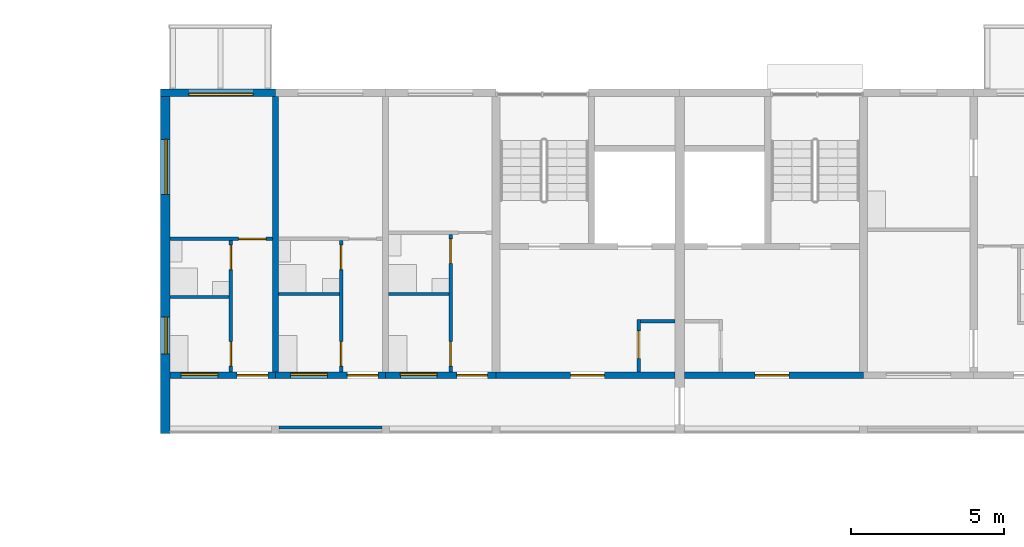
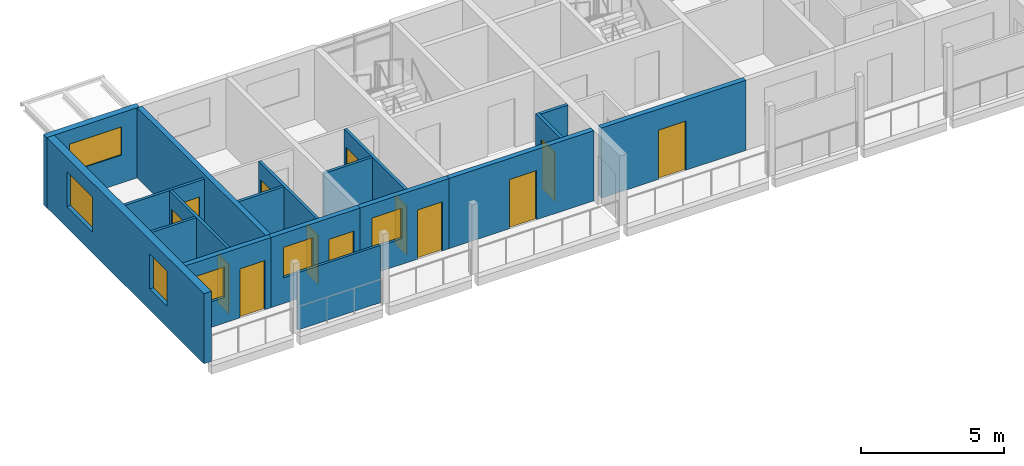
# One storey, part 60 of 122: 18 walls, 13 doors, 6 windows, 19 openings.
"""IFC4 building model written with IfcOpenShell, lengths in metres."""

from ifc_helpers import new_model, si_unit, direction, frame, frame_2d, origin, place, context, subcontext, project, spatial, rectangle, extrude, material, layer, layer_set, type_object, element, fill, save


model = new_model("IFC4")

# Units and contexts
model_context = context("Model", 3, precision=1e-05, world=origin(), true_north=direction((0.0, 1.0)))
body_context = subcontext(model_context, "Body", "Model", "MODEL_VIEW")
ifc_project = project(units=[si_unit("LENGTHUNIT", "METRE"), si_unit("AREAUNIT", "SQUARE_METRE"), si_unit("VOLUMEUNIT", "CUBIC_METRE"), si_unit("PLANEANGLEUNIT", "RADIAN"), si_unit("MASSUNIT", "GRAM", prefix="KILO")], contexts=[model_context])

# Site, building, storey
site_placement = place(None, origin())
site = spatial("IfcSite", under=ifc_project, at=site_placement, CompositionType="ELEMENT")
building_placement = place(site_placement, origin())
building = spatial("IfcBuilding", under=site, at=building_placement, Name="Ridgestep Commons", CompositionType="ELEMENT")
storey_placement = place(building_placement, frame((0.0, 0.0, 3.0)))
storey = spatial("IfcBuildingStorey", under=building, at=storey_placement, Name="L01", CompositionType="ELEMENT", Elevation=3.0)

# Wall, opening, door
ifc_material_1 = material(Name="Concrete C30/37", Category="concrete")
ifc_layer_1 = layer(ifc_material_1, 0.199951171875)
ifc_layer_set_1 = layer_set([ifc_layer_1], Name="Core south wall 200")
wall_type_1 = type_object("IfcWallType", Name="Core south wall 200", PredefinedType="SHEAR", material=ifc_layer_set_1)
wall_1_placement = place(storey_placement, frame((22.800048828125, 67.89990234375, 0.0), z_axis=(0.0, 0.0, 1.0), x_axis=(1.0, 0.0, 0.0)))
wall_1 = element("IfcWall", 1, at=wall_1_placement, inside=storey, type_object=wall_type_1, Name="Core south wall B1C L01", PredefinedType="SHEAR", context=body_context, shape_type="SweptSolid", body=[
    extrude(rectangle(XDim=5.849853515625, YDim=0.199951171875, at=frame_2d((2.9248046875, 0.0))), origin(), (0.0, 0.0, 1.0), 3.0),
])
opening_1_placement = place(wall_1_placement, frame((2.4375, 0.0, 0.0)))
opening_1 = element("IfcOpeningElement", 2, at=opening_1_placement, cuts=wall_1, Name="Opening B1C/01/1", PredefinedType="OPENING", context=body_context, shape_type="SweptSolid", body=[
    extrude(rectangle(XDim=1.10009765625, YDim=2.10009765625, at=frame_2d((0.550048828125, 1.050048828125))), frame((0.0, 0.10986328125, 0.0), z_axis=(0.0, -1.0, 0.0), x_axis=(1.0, 0.0, 0.0)), (0.0, 0.0, 1.0), 0.219970703125),
])
ifc_material_2 = material(Name="Steel fire door", Category="steel")
door_type_1 = type_object("IfcDoorType", Name="Lobby door 1100 x 2100 FD60", OperationType="NOTDEFINED", PredefinedType="DOOR", material=ifc_material_2)
door_1_placement = place(opening_1_placement, origin())
door_1 = element("IfcDoor", 3, at=door_1_placement, inside=storey, type_object=door_type_1, Name="Lobby door B1C/01/1", OperationType="SINGLE_SWING_LEFT", OverallHeight=2.10009765625, OverallWidth=1.10009765625, PredefinedType="DOOR", context=body_context, shape_type="SweptSolid", body=[
    extrude(rectangle(XDim=1.10009765625, YDim=2.10009765625, at=frame_2d((0.550048828125, 1.050048828125))), frame((0.0, 0.02490234375, 0.0), z_axis=(0.0, -1.0, 0.0), x_axis=(1.0, 0.0, 0.0)), (0.0, 0.0, 1.0), 0.050048828125),
])
fill(opening_1, door_1)

wall_2_placement = place(storey_placement, frame((28.949951171875, 67.89990234375, 0.0), z_axis=(0.0, 0.0, 1.0), x_axis=(1.0, 0.0, 0.0)))
wall_2 = element("IfcWall", 4, at=wall_2_placement, inside=storey, type_object=wall_type_1, Name="Core south wall B2C L01", PredefinedType="SHEAR", context=body_context, shape_type="SweptSolid", body=[
    extrude(rectangle(XDim=5.85009765625, YDim=0.199951171875, at=frame_2d((2.925048828125, 0.0))), origin(), (0.0, 0.0, 1.0), 3.0),
])
opening_2_placement = place(wall_2_placement, frame((2.3125, 0.0, 0.0)))
opening_2 = element("IfcOpeningElement", 5, at=opening_2_placement, cuts=wall_2, Name="Opening B2C/01/1", PredefinedType="OPENING", context=body_context, shape_type="SweptSolid", body=[
    extrude(rectangle(XDim=1.10009765625, YDim=2.10009765625, at=frame_2d((0.550048828125, 1.050048828125))), frame((0.0, 0.10986328125, 0.0), z_axis=(0.0, -1.0, 0.0), x_axis=(1.0, 0.0, 0.0)), (0.0, 0.0, 1.0), 0.219970703125),
])
door_2_placement = place(opening_2_placement, origin())
door_2 = element("IfcDoor", 6, at=door_2_placement, inside=storey, type_object=door_type_1, Name="Lobby door B2C/01/1", OperationType="SINGLE_SWING_LEFT", OverallHeight=2.10009765625, OverallWidth=1.10009765625, PredefinedType="DOOR", context=body_context, shape_type="SweptSolid", body=[
    extrude(rectangle(XDim=1.10009765625, YDim=2.10009765625, at=frame_2d((0.550048828125, 1.050048828125))), frame((0.0, 0.02490234375, 0.0), z_axis=(0.0, -1.0, 0.0), x_axis=(1.0, 0.0, 0.0)), (0.0, 0.0, 1.0), 0.050048828125),
])
fill(opening_2, door_2)

ifc_material_3 = material(Name="Concrete C30/37", Category="concrete")
ifc_layer_2 = layer(ifc_material_3, 0.1201171875)
ifc_layer_set_2 = layer_set([ifc_layer_2], Name="Core wall 120")
wall_type_2 = type_object("IfcWallType", Name="Core wall 120", PredefinedType="SHEAR", material=ifc_layer_set_2)
wall_3_placement = place(storey_placement, frame((27.4599609375, 68.0, 0.0), z_axis=(0.0, 0.0, 1.0), x_axis=(0.0, 1.0, 0.0)))
wall_3 = element("IfcWall", 7, at=wall_3_placement, inside=storey, type_object=wall_type_2, Name="Core riser w wall B1C L01", PredefinedType="SHEAR", context=body_context, shape_type="SweptSolid", body=[
    extrude(rectangle(XDim=1.719970703125, YDim=0.1201171875, at=frame_2d((0.85986328125, 0.0))), origin(), (0.0, 0.0, 1.0), 3.0),
])
opening_3_placement = place(wall_3_placement, frame((0.449951171875, 0.0, 0.0)))
opening_3 = element("IfcOpeningElement", 8, at=opening_3_placement, cuts=wall_3, Name="Opening B1C/01/4", PredefinedType="OPENING", context=body_context, shape_type="SweptSolid", body=[
    extrude(rectangle(XDim=0.89990234375, YDim=2.10009765625, at=frame_2d((0.449951171875, 1.050048828125))), frame((0.0, 0.070068359375, 0.0), z_axis=(0.0, -1.0, 0.0), x_axis=(1.0, 0.0, 0.0)), (0.0, 0.0, 1.0), 0.14013671875),
])
ifc_material_4 = material(Name="Steel fire door", Category="steel")
door_type_2 = type_object("IfcDoorType", Name="Riser door 900 x 2100 FD60", OperationType="NOTDEFINED", PredefinedType="DOOR", material=ifc_material_4)
door_3_placement = place(opening_3_placement, origin())
door_3 = element("IfcDoor", 9, at=door_3_placement, inside=storey, type_object=door_type_2, Name="Riser door B1C/01/4", OperationType="SINGLE_SWING_LEFT", OverallHeight=2.10009765625, OverallWidth=0.89990234375, PredefinedType="DOOR", context=body_context, shape_type="SweptSolid", body=[
    extrude(rectangle(XDim=0.89990234375, YDim=2.10009765625, at=frame_2d((0.449951171875, 1.050048828125))), frame((0.0, 0.02490234375, 0.0), z_axis=(0.0, -1.0, 0.0), x_axis=(1.0, 0.0, 0.0)), (0.0, 0.0, 1.0), 0.050048828125),
])
fill(opening_3, door_3)

# Walls
wall_4_placement = place(storey_placement, frame((27.52001953125, 69.659912109375, 0.0), z_axis=(0.0, 0.0, 1.0), x_axis=(1.0, 0.0, 0.0)))
element("IfcWall", 10, at=wall_4_placement, inside=storey, type_object=wall_type_2, Name="Core riser n wall B1C L01", PredefinedType="SHEAR", context=body_context, shape_type="SweptSolid", body=[
    extrude(rectangle(XDim=1.1298828125, YDim=0.1201171875, at=frame_2d((0.56494140625, 0.0))), origin(), (0.0, 0.0, 1.0), 3.0),
])
ifc_material_5 = material(Name="Precast concrete C40/50", Category="concrete")
ifc_layer_3 = layer(ifc_material_5, 0.199951171875)
ifc_layer_set_3 = layer_set([ifc_layer_3], Name="Cross wall 200")
wall_type_3 = type_object("IfcWallType", Name="Cross wall 200", PredefinedType="SHEAR", material=ifc_layer_set_3)
wall_5_placement = place(storey_placement, frame((15.60009765625, 68.0, 0.0), z_axis=(0.0, 0.0, 1.0), x_axis=(0.0, 1.0, 0.0)))
element("IfcWall", 11, at=wall_5_placement, inside=storey, type_object=wall_type_3, Name="Cross wall B-01-0156", PredefinedType="SHEAR", context=body_context, shape_type="SweptSolid", body=[
    extrude(rectangle(XDim=9.0, YDim=0.199951171875, at=frame_2d((4.5, 0.0))), origin(), (0.0, 0.0, 1.0), 3.0),
])

# Wall, openings, windows
ifc_material_6 = material(Name="Precast concrete C40/50", Category="concrete")
ifc_layer_4 = layer(ifc_material_6, 0.300048828125)
ifc_layer_set_4 = layer_set([ifc_layer_4], Name="Exposed division wall 300")
wall_type_4 = type_object("IfcWallType", Name="Exposed division wall 300", PredefinedType="SHEAR", material=ifc_layer_set_4)
wall_6_placement = place(storey_placement, frame((12.0, 66.0, 0.0), z_axis=(0.0, 0.0, 1.0), x_axis=(0.0, 1.0, 0.0)))
wall_6 = element("IfcWall", 12, at=wall_6_placement, inside=storey, type_object=wall_type_4, Name="Cross wall B-01-0120", PredefinedType="SHEAR", context=body_context, shape_type="SweptSolid", body=[
    extrude(rectangle(XDim=11.0, YDim=0.300048828125, at=frame_2d((5.5, 0.0))), origin(), (0.0, 0.0, 1.0), 3.0),
])
opening_4_placement = place(wall_6_placement, frame((2.60009765625, 0.0, 0.89990234375)))
opening_4 = element("IfcOpeningElement", 13, at=opening_4_placement, cuts=wall_6, Name="Opening W10", PredefinedType="OPENING", context=body_context, shape_type="SweptSolid", body=[
    extrude(rectangle(XDim=1.199951171875, YDim=1.5, at=frame_2d((0.60009765625, 0.75))), frame((0.0, 0.159912109375, 0.0), z_axis=(0.0, -1.0, 0.0), x_axis=(1.0, 0.0, 0.0)), (0.0, 0.0, 1.0), 0.320068359375),
])
opening_5_placement = place(wall_6_placement, frame((7.804931640625, 0.0, 0.89990234375)))
opening_5 = element("IfcOpeningElement", 14, at=opening_5_placement, cuts=wall_6, Name="Opening W20", PredefinedType="OPENING", context=body_context, shape_type="SweptSolid", body=[
    extrude(rectangle(XDim=1.800048828125, YDim=1.5, at=frame_2d((0.89990234375, 0.75))), frame((0.0, 0.159912109375, 0.0), z_axis=(0.0, -1.0, 0.0), x_axis=(1.0, 0.0, 0.0)), (0.0, 0.0, 1.0), 0.320068359375),
])
ifc_material_7 = material(Name="Aluminium 6063-T6 and glass", Category="aluminium")
window_type_1 = type_object("IfcWindowType", Name="Flat window 1200 x 1500", PartitioningType="SINGLE_PANEL", PredefinedType="WINDOW", material=ifc_material_7)
window_1_placement = place(opening_4_placement, origin())
window_1 = element("IfcWindow", 15, at=window_1_placement, inside=storey, type_object=window_type_1, Name="Window B1-01a 3", OverallHeight=1.5, OverallWidth=1.199951171875, PartitioningType="SINGLE_PANEL", PredefinedType="WINDOW", context=body_context, shape_type="SweptSolid", body=[
    extrude(rectangle(XDim=1.199951171875, YDim=1.5, at=frame_2d((0.60009765625, 0.75))), frame((0.0, 0.0, 0.0), z_axis=(0.0, -1.0, 0.0), x_axis=(1.0, 0.0, 0.0)), (0.0, 0.0, 1.0), 0.06005859375),
])
fill(opening_4, window_1)
ifc_material_8 = material(Name="Aluminium 6063-T6 and glass", Category="aluminium")
window_type_2 = type_object("IfcWindowType", Name="Flat window 1800 x 1500", PartitioningType="DOUBLE_PANEL_VERTICAL", PredefinedType="WINDOW", material=ifc_material_8)
window_2_placement = place(opening_5_placement, origin())
window_2 = element("IfcWindow", 16, at=window_2_placement, inside=storey, type_object=window_type_2, Name="Window B1-01a 4", OverallHeight=1.5, OverallWidth=1.800048828125, PartitioningType="SINGLE_PANEL", PredefinedType="WINDOW", context=body_context, shape_type="SweptSolid", body=[
    extrude(rectangle(XDim=1.800048828125, YDim=1.5, at=frame_2d((0.89990234375, 0.75))), frame((0.0, 0.0, 0.0), z_axis=(0.0, -1.0, 0.0), x_axis=(1.0, 0.0, 0.0)), (0.0, 0.0, 1.0), 0.06005859375),
])
fill(opening_5, window_2)

# Wall, opening, window
ifc_material_9 = material(Name="Precast concrete C40/50", Category="concrete")
ifc_layer_5 = layer(ifc_material_9, 0.25)
ifc_layer_set_5 = layer_set([ifc_layer_5], Name="North facade panel 250")
wall_type_5 = type_object("IfcWallType", Name="North facade panel 250", PredefinedType="SOLIDWALL", material=ifc_layer_set_5)
wall_7_placement = place(storey_placement, frame((11.85009765625, 77.125, 0.0), z_axis=(0.0, 0.0, 1.0), x_axis=(1.0, 0.0, 0.0)))
wall_7 = element("IfcWall", 17, at=wall_7_placement, inside=storey, type_object=wall_type_5, Name="North panel B1T1 L01", PredefinedType="SOLIDWALL", context=body_context, shape_type="SweptSolid", body=[
    extrude(rectangle(XDim=3.75, YDim=0.25, at=frame_2d((1.875, 0.0))), origin(), (0.0, 0.0, 1.0), 3.0),
])
opening_6_placement = place(wall_7_placement, frame((0.925048828125, 0.0, 1.199951171875)))
opening_6 = element("IfcOpeningElement", 18, at=opening_6_placement, cuts=wall_7, Name="Opening W22", PredefinedType="OPENING", context=body_context, shape_type="SweptSolid", body=[
    extrude(rectangle(XDim=2.10009765625, YDim=1.199951171875, at=frame_2d((1.050048828125, 0.60009765625))), frame((0.0, 0.135009765625, 0.0), z_axis=(0.0, -1.0, 0.0), x_axis=(1.0, 0.0, 0.0)), (0.0, 0.0, 1.0), 0.27001953125),
])
ifc_material_10 = material(Name="Aluminium 6063-T6 and glass", Category="aluminium")
window_type_3 = type_object("IfcWindowType", Name="Flat window 2100 x 1200", PartitioningType="DOUBLE_PANEL_VERTICAL", PredefinedType="WINDOW", material=ifc_material_10)
window_3_placement = place(opening_6_placement, origin())
window_3 = element("IfcWindow", 19, at=window_3_placement, inside=storey, type_object=window_type_3, Name="Window B1-01a 2", OverallHeight=1.199951171875, OverallWidth=2.10009765625, PartitioningType="SINGLE_PANEL", PredefinedType="WINDOW", context=body_context, shape_type="SweptSolid", body=[
    extrude(rectangle(XDim=2.10009765625, YDim=1.199951171875, at=frame_2d((1.050048828125, 0.60009765625))), frame((0.0, -0.02490234375, 0.0), z_axis=(0.0, -1.0, 0.0), x_axis=(1.0, 0.0, 0.0)), (0.0, 0.0, 1.0), 0.06005859375),
])
fill(opening_6, window_3)

# Wall
ifc_material_11 = material(Name="Common brick 110 mm", Category="masonry")
ifc_layer_6 = layer(ifc_material_11, 0.110107421875)
ifc_layer_set_6 = layer_set([ifc_layer_6], Name="Partition 110")
wall_type_6 = type_object("IfcWallType", Name="Partition 110", PredefinedType="PARTITIONING", material=ifc_layer_set_6)
wall_8_placement = place(storey_placement, frame((12.14990234375, 70.455078125, 0.0), z_axis=(0.0, 0.0, 1.0), x_axis=(1.0, 0.0, 0.0)))
element("IfcWall", 20, at=wall_8_placement, inside=storey, type_object=wall_type_6, Name="Partition B1-01a", PredefinedType="PARTITIONING", context=body_context, shape_type="SweptSolid", body=[
    extrude(rectangle(XDim=1.940185546875, YDim=0.110107421875, at=frame_2d((0.97021484375, 0.0))), origin(), (0.0, 0.0, 1.0), 2.800048828125),
])

# Wall, openings, doors
wall_9_placement = place(storey_placement, frame((14.14501953125, 68.0, 0.0), z_axis=(0.0, 0.0, 1.0), x_axis=(0.0, 1.0, 0.0)))
wall_9 = element("IfcWall", 21, at=wall_9_placement, inside=storey, type_object=wall_type_6, Name="Partition B1-01a", PredefinedType="PARTITIONING", context=body_context, shape_type="SweptSolid", body=[
    extrude(rectangle(XDim=4.300048828125, YDim=0.110107421875, at=frame_2d((2.14990234375, 0.0))), origin(), (0.0, 0.0, 1.0), 2.800048828125),
])
opening_7_placement = place(wall_9_placement, frame((0.199951171875, 0.0, 0.0)))
opening_7 = element("IfcOpeningElement", 22, at=opening_7_placement, cuts=wall_9, Name="Opening B1-01a/2", PredefinedType="OPENING", context=body_context, shape_type="SweptSolid", body=[
    extrude(rectangle(XDim=0.800048828125, YDim=2.10009765625, at=frame_2d((0.39990234375, 1.050048828125))), frame((0.0, 0.06494140625, 0.0), z_axis=(0.0, -1.0, 0.0), x_axis=(1.0, 0.0, 0.0)), (0.0, 0.0, 1.0), 0.130126953125),
])
opening_8_placement = place(wall_9_placement, frame((3.35009765625, 0.0, 0.0)))
opening_8 = element("IfcOpeningElement", 23, at=opening_8_placement, cuts=wall_9, Name="Opening B1-01a/3", PredefinedType="OPENING", context=body_context, shape_type="SweptSolid", body=[
    extrude(rectangle(XDim=0.800048828125, YDim=2.10009765625, at=frame_2d((0.39990234375, 1.050048828125))), frame((0.0, 0.06494140625, 0.0), z_axis=(0.0, -1.0, 0.0), x_axis=(1.0, 0.0, 0.0)), (0.0, 0.0, 1.0), 0.130126953125),
])
ifc_material_12 = material(Name="Timber door leaf", Category="wood")
door_type_3 = type_object("IfcDoorType", Name="Internal door 800 x 2100", OperationType="NOTDEFINED", PredefinedType="DOOR", material=ifc_material_12)
door_4_placement = place(opening_7_placement, origin())
door_4 = element("IfcDoor", 24, at=door_4_placement, inside=storey, type_object=door_type_3, Name="Internal door B1-01a/2", OperationType="SINGLE_SWING_LEFT", OverallHeight=2.10009765625, OverallWidth=0.800048828125, PredefinedType="DOOR", context=body_context, shape_type="SweptSolid", body=[
    extrude(rectangle(XDim=0.800048828125, YDim=2.10009765625, at=frame_2d((0.39990234375, 1.050048828125))), frame((0.0, 0.02490234375, 0.0), z_axis=(0.0, -1.0, 0.0), x_axis=(1.0, 0.0, 0.0)), (0.0, 0.0, 1.0), 0.050048828125),
])
fill(opening_7, door_4)
door_5_placement = place(opening_8_placement, origin())
door_5 = element("IfcDoor", 25, at=door_5_placement, inside=storey, type_object=door_type_3, Name="Internal door B1-01a/3", OperationType="SINGLE_SWING_RIGHT", OverallHeight=2.10009765625, OverallWidth=0.800048828125, PredefinedType="DOOR", context=body_context, shape_type="SweptSolid", body=[
    extrude(rectangle(XDim=0.800048828125, YDim=2.10009765625, at=frame_2d((0.39990234375, 1.050048828125))), frame((0.0, 0.02490234375, 0.0), z_axis=(0.0, -1.0, 0.0), x_axis=(1.0, 0.0, 0.0)), (0.0, 0.0, 1.0), 0.050048828125),
])
fill(opening_8, door_5)

# Wall, opening, door
wall_10_placement = place(storey_placement, frame((12.14990234375, 72.35498046875, 0.0), z_axis=(0.0, 0.0, 1.0), x_axis=(1.0, 0.0, 0.0)))
wall_10 = element("IfcWall", 26, at=wall_10_placement, inside=storey, type_object=wall_type_6, Name="Partition B1-01a", PredefinedType="PARTITIONING", context=body_context, shape_type="SweptSolid", body=[
    extrude(rectangle(XDim=3.35009765625, YDim=0.110107421875, at=frame_2d((1.675048828125, 0.0))), origin(), (0.0, 0.0, 1.0), 2.800048828125),
])
opening_9_placement = place(wall_10_placement, frame((2.25, 0.0, 0.0)))
opening_9 = element("IfcOpeningElement", 27, at=opening_9_placement, cuts=wall_10, Name="Opening B1-01a/4", PredefinedType="OPENING", context=body_context, shape_type="SweptSolid", body=[
    extrude(rectangle(XDim=0.89990234375, YDim=2.10009765625, at=frame_2d((0.449951171875, 1.050048828125))), frame((0.0, 0.06494140625, 0.0), z_axis=(0.0, -1.0, 0.0), x_axis=(1.0, 0.0, 0.0)), (0.0, 0.0, 1.0), 0.130126953125),
])
ifc_material_13 = material(Name="Timber door leaf", Category="wood")
door_type_4 = type_object("IfcDoorType", Name="Internal door 900 x 2100", OperationType="NOTDEFINED", PredefinedType="DOOR", material=ifc_material_13)
door_6_placement = place(opening_9_placement, origin())
door_6 = element("IfcDoor", 28, at=door_6_placement, inside=storey, type_object=door_type_4, Name="Internal door B1-01a/4", OperationType="SINGLE_SWING_LEFT", OverallHeight=2.10009765625, OverallWidth=0.89990234375, PredefinedType="DOOR", context=body_context, shape_type="SweptSolid", body=[
    extrude(rectangle(XDim=0.89990234375, YDim=2.10009765625, at=frame_2d((0.449951171875, 1.050048828125))), frame((0.0, 0.02490234375, 0.0), z_axis=(0.0, -1.0, 0.0), x_axis=(1.0, 0.0, 0.0)), (0.0, 0.0, 1.0), 0.050048828125),
])
fill(opening_9, door_6)

# Wall
wall_11_placement = place(storey_placement, frame((15.699951171875, 70.554931640625, 0.0), z_axis=(0.0, 0.0, 1.0), x_axis=(1.0, 0.0, 0.0)))
element("IfcWall", 29, at=wall_11_placement, inside=storey, type_object=wall_type_6, Name="Partition B1-01b", PredefinedType="PARTITIONING", context=body_context, shape_type="SweptSolid", body=[
    extrude(rectangle(XDim=1.989990234375, YDim=0.110107421875, at=frame_2d((0.9951171875, 0.0))), origin(), (0.0, 0.0, 1.0), 2.800048828125),
])

# Wall, openings, doors
wall_12_placement = place(storey_placement, frame((17.7451171875, 68.0, 0.0), z_axis=(0.0, 0.0, 1.0), x_axis=(0.0, 1.0, 0.0)))
wall_12 = element("IfcWall", 30, at=wall_12_placement, inside=storey, type_object=wall_type_6, Name="Partition B1-01b", PredefinedType="PARTITIONING", context=body_context, shape_type="SweptSolid", body=[
    extrude(rectangle(XDim=4.300048828125, YDim=0.110107421875, at=frame_2d((2.14990234375, 0.0))), origin(), (0.0, 0.0, 1.0), 2.800048828125),
])
opening_10_placement = place(wall_12_placement, frame((0.199951171875, 0.0, 0.0)))
opening_10 = element("IfcOpeningElement", 31, at=opening_10_placement, cuts=wall_12, Name="Opening B1-01b/2", PredefinedType="OPENING", context=body_context, shape_type="SweptSolid", body=[
    extrude(rectangle(XDim=0.800048828125, YDim=2.10009765625, at=frame_2d((0.39990234375, 1.050048828125))), frame((0.0, 0.06494140625, 0.0), z_axis=(0.0, -1.0, 0.0), x_axis=(1.0, 0.0, 0.0)), (0.0, 0.0, 1.0), 0.130126953125),
])
opening_11_placement = place(wall_12_placement, frame((3.35009765625, 0.0, 0.0)))
opening_11 = element("IfcOpeningElement", 32, at=opening_11_placement, cuts=wall_12, Name="Opening B1-01b/3", PredefinedType="OPENING", context=body_context, shape_type="SweptSolid", body=[
    extrude(rectangle(XDim=0.800048828125, YDim=2.10009765625, at=frame_2d((0.39990234375, 1.050048828125))), frame((0.0, 0.06494140625, 0.0), z_axis=(0.0, -1.0, 0.0), x_axis=(1.0, 0.0, 0.0)), (0.0, 0.0, 1.0), 0.130126953125),
])
door_7_placement = place(opening_10_placement, origin())
door_7 = element("IfcDoor", 33, at=door_7_placement, inside=storey, type_object=door_type_3, Name="Internal door B1-01b/2", OperationType="SINGLE_SWING_LEFT", OverallHeight=2.10009765625, OverallWidth=0.800048828125, PredefinedType="DOOR", context=body_context, shape_type="SweptSolid", body=[
    extrude(rectangle(XDim=0.800048828125, YDim=2.10009765625, at=frame_2d((0.39990234375, 1.050048828125))), frame((0.0, 0.02490234375, 0.0), z_axis=(0.0, -1.0, 0.0), x_axis=(1.0, 0.0, 0.0)), (0.0, 0.0, 1.0), 0.050048828125),
])
fill(opening_10, door_7)
door_8_placement = place(opening_11_placement, origin())
door_8 = element("IfcDoor", 34, at=door_8_placement, inside=storey, type_object=door_type_3, Name="Internal door B1-01b/3", OperationType="SINGLE_SWING_RIGHT", OverallHeight=2.10009765625, OverallWidth=0.800048828125, PredefinedType="DOOR", context=body_context, shape_type="SweptSolid", body=[
    extrude(rectangle(XDim=0.800048828125, YDim=2.10009765625, at=frame_2d((0.39990234375, 1.050048828125))), frame((0.0, 0.02490234375, 0.0), z_axis=(0.0, -1.0, 0.0), x_axis=(1.0, 0.0, 0.0)), (0.0, 0.0, 1.0), 0.050048828125),
])
fill(opening_11, door_8)

# Wall
wall_13_placement = place(storey_placement, frame((19.300048828125, 70.554931640625, 0.0), z_axis=(0.0, 0.0, 1.0), x_axis=(1.0, 0.0, 0.0)))
element("IfcWall", 35, at=wall_13_placement, inside=storey, type_object=wall_type_6, Name="Partition B1-01c", PredefinedType="PARTITIONING", context=body_context, shape_type="SweptSolid", body=[
    extrude(rectangle(XDim=1.96484375, YDim=0.110107421875, at=frame_2d((0.982421875, 0.0))), origin(), (0.0, 0.0, 1.0), 2.800048828125),
])

# Wall, openings, doors
wall_14_placement = place(storey_placement, frame((21.320068359375, 68.0, 0.0), z_axis=(0.0, 0.0, 1.0), x_axis=(0.0, 1.0, 0.0)))
wall_14 = element("IfcWall", 36, at=wall_14_placement, inside=storey, type_object=wall_type_6, Name="Partition B1-01c", PredefinedType="PARTITIONING", context=body_context, shape_type="SweptSolid", body=[
    extrude(rectangle(XDim=4.5, YDim=0.110107421875, at=frame_2d((2.25, 0.0))), origin(), (0.0, 0.0, 1.0), 2.800048828125),
])
opening_12_placement = place(wall_14_placement, frame((0.199951171875, 0.0, 0.0)))
opening_12 = element("IfcOpeningElement", 37, at=opening_12_placement, cuts=wall_14, Name="Opening B1-01c/2", PredefinedType="OPENING", context=body_context, shape_type="SweptSolid", body=[
    extrude(rectangle(XDim=0.800048828125, YDim=2.10009765625, at=frame_2d((0.39990234375, 1.050048828125))), frame((0.0, 0.06494140625, 0.0), z_axis=(0.0, -1.0, 0.0), x_axis=(1.0, 0.0, 0.0)), (0.0, 0.0, 1.0), 0.130126953125),
])
opening_13_placement = place(wall_14_placement, frame((3.550048828125, 0.0, 0.0)))
opening_13 = element("IfcOpeningElement", 38, at=opening_13_placement, cuts=wall_14, Name="Opening B1-01c/3", PredefinedType="OPENING", context=body_context, shape_type="SweptSolid", body=[
    extrude(rectangle(XDim=0.800048828125, YDim=2.10009765625, at=frame_2d((0.39990234375, 1.050048828125))), frame((0.0, 0.06494140625, 0.0), z_axis=(0.0, -1.0, 0.0), x_axis=(1.0, 0.0, 0.0)), (0.0, 0.0, 1.0), 0.130126953125),
])
door_9_placement = place(opening_12_placement, origin())
door_9 = element("IfcDoor", 39, at=door_9_placement, inside=storey, type_object=door_type_3, Name="Internal door B1-01c/2", OperationType="SINGLE_SWING_LEFT", OverallHeight=2.10009765625, OverallWidth=0.800048828125, PredefinedType="DOOR", context=body_context, shape_type="SweptSolid", body=[
    extrude(rectangle(XDim=0.800048828125, YDim=2.10009765625, at=frame_2d((0.39990234375, 1.050048828125))), frame((0.0, 0.02490234375, 0.0), z_axis=(0.0, -1.0, 0.0), x_axis=(1.0, 0.0, 0.0)), (0.0, 0.0, 1.0), 0.050048828125),
])
fill(opening_12, door_9)
door_10_placement = place(opening_13_placement, origin())
door_10 = element("IfcDoor", 40, at=door_10_placement, inside=storey, type_object=door_type_3, Name="Internal door B1-01c/3", OperationType="SINGLE_SWING_RIGHT", OverallHeight=2.10009765625, OverallWidth=0.800048828125, PredefinedType="DOOR", context=body_context, shape_type="SweptSolid", body=[
    extrude(rectangle(XDim=0.800048828125, YDim=2.10009765625, at=frame_2d((0.39990234375, 1.050048828125))), frame((0.0, 0.02490234375, 0.0), z_axis=(0.0, -1.0, 0.0), x_axis=(1.0, 0.0, 0.0)), (0.0, 0.0, 1.0), 0.050048828125),
])
fill(opening_13, door_10)

# Wall
ifc_material_14 = material(Name="Precast concrete C30/37", Category="concrete")
ifc_layer_7 = layer(ifc_material_14, 0.10009765625)
ifc_layer_set_7 = layer_set([ifc_layer_7], Name="Perforated gallery screen 3350 x 2450 x 100")
wall_type_7 = type_object("IfcWallType", Name="Perforated gallery screen 3350 x 2450 x 100", PredefinedType="SOLIDWALL", material=ifc_layer_set_7)
wall_15_placement = place(storey_placement, frame((15.72509765625, 66.199951171875, 0.0), z_axis=(0.0, 0.0, 1.0), x_axis=(1.0, 0.0, 0.0)))
element("IfcWall", 41, at=wall_15_placement, inside=storey, type_object=wall_type_7, Name="Gallery screen B1T2 01", PredefinedType="SOLIDWALL", context=body_context, shape_type="SweptSolid", body=[
    extrude(rectangle(XDim=3.349853515625, YDim=0.10009765625, at=frame_2d((1.6748046875, 0.0))), origin(), (0.0, 0.0, 1.0), 2.449951171875),
])

# Wall, openings, door, window
ifc_material_15 = material(Name="Precast concrete C40/50", Category="concrete")
ifc_layer_8 = layer(ifc_material_15, 0.199951171875)
ifc_layer_set_8 = layer_set([ifc_layer_8], Name="South facade panel 200")
wall_type_8 = type_object("IfcWallType", Name="South facade panel 200", PredefinedType="SOLIDWALL", material=ifc_layer_set_8)
wall_16_placement = place(storey_placement, frame((12.14990234375, 67.89990234375, 0.0), z_axis=(0.0, 0.0, 1.0), x_axis=(1.0, 0.0, 0.0)))
wall_16 = element("IfcWall", 42, at=wall_16_placement, inside=storey, type_object=wall_type_8, Name="South panel B1T1 L01", PredefinedType="SOLIDWALL", context=body_context, shape_type="SweptSolid", body=[
    extrude(rectangle(XDim=3.4501953125, YDim=0.199951171875, at=frame_2d((1.72509765625, 0.0))), origin(), (0.0, 0.0, 1.0), 3.0),
])
opening_14_placement = place(wall_16_placement, frame((0.3701171875, 0.0, 1.10009765625)))
opening_14 = element("IfcOpeningElement", 43, at=opening_14_placement, cuts=wall_16, Name="Opening W08", PredefinedType="OPENING", context=body_context, shape_type="SweptSolid", body=[
    extrude(rectangle(XDim=1.199951171875, YDim=1.300048828125, at=frame_2d((0.60009765625, 0.64990234375))), frame((0.0, 0.10986328125, 0.0), z_axis=(0.0, -1.0, 0.0), x_axis=(1.0, 0.0, 0.0)), (0.0, 0.0, 1.0), 0.219970703125),
])
opening_15_placement = place(wall_16_placement, frame((2.199951171875, 0.0, 0.0)))
opening_15 = element("IfcOpeningElement", 44, at=opening_15_placement, cuts=wall_16, Name="Opening B1-01a/1", PredefinedType="OPENING", context=body_context, shape_type="SweptSolid", body=[
    extrude(rectangle(XDim=1.0, YDim=2.10009765625, at=frame_2d((0.5, 1.050048828125))), frame((0.0, 0.10986328125, 0.0), z_axis=(0.0, -1.0, 0.0), x_axis=(1.0, 0.0, 0.0)), (0.0, 0.0, 1.0), 0.219970703125),
])
ifc_material_16 = material(Name="Timber door leaf", Category="wood")
door_type_5 = type_object("IfcDoorType", Name="Flat entrance door 1000 x 2100 FD30S", OperationType="NOTDEFINED", PredefinedType="DOOR", material=ifc_material_16)
door_11_placement = place(opening_15_placement, origin())
door_11 = element("IfcDoor", 45, at=door_11_placement, inside=storey, type_object=door_type_5, Name="Flat entrance door B1-01a/1", OperationType="SINGLE_SWING_RIGHT", OverallHeight=2.10009765625, OverallWidth=1.0, PredefinedType="DOOR", context=body_context, shape_type="SweptSolid", body=[
    extrude(rectangle(XDim=1.0, YDim=2.10009765625, at=frame_2d((0.5, 1.050048828125))), frame((0.0, 0.02490234375, 0.0), z_axis=(0.0, -1.0, 0.0), x_axis=(1.0, 0.0, 0.0)), (0.0, 0.0, 1.0), 0.050048828125),
])
fill(opening_15, door_11)
ifc_material_17 = material(Name="Aluminium 6063-T6 and glass", Category="aluminium")
window_type_4 = type_object("IfcWindowType", Name="Flat window 1200 x 1300", PartitioningType="SINGLE_PANEL", PredefinedType="WINDOW", material=ifc_material_17)
window_4_placement = place(opening_14_placement, origin())
window_4 = element("IfcWindow", 46, at=window_4_placement, inside=storey, type_object=window_type_4, Name="Window B1-01a 1", OverallHeight=1.300048828125, OverallWidth=1.199951171875, PartitioningType="SINGLE_PANEL", PredefinedType="WINDOW", context=body_context, shape_type="SweptSolid", body=[
    extrude(rectangle(XDim=1.199951171875, YDim=1.300048828125, at=frame_2d((0.60009765625, 0.64990234375))), frame((0.0, 0.06005859375, 0.0), z_axis=(0.0, -1.0, 0.0), x_axis=(1.0, 0.0, 0.0)), (0.0, 0.0, 1.0), 0.06005859375),
])
fill(opening_14, window_4)

wall_17_placement = place(storey_placement, frame((15.60009765625, 67.89990234375, 0.0), z_axis=(0.0, 0.0, 1.0), x_axis=(1.0, 0.0, 0.0)))
wall_17 = element("IfcWall", 47, at=wall_17_placement, inside=storey, type_object=wall_type_8, Name="South panel B1T2 L01", PredefinedType="SOLIDWALL", context=body_context, shape_type="SweptSolid", body=[
    extrude(rectangle(XDim=3.599853515625, YDim=0.199951171875, at=frame_2d((1.7998046875, 0.0))), origin(), (0.0, 0.0, 1.0), 3.0),
])
opening_16_placement = place(wall_17_placement, frame((0.4951171875, 0.0, 1.10009765625)))
opening_16 = element("IfcOpeningElement", 48, at=opening_16_placement, cuts=wall_17, Name="Opening W08", PredefinedType="OPENING", context=body_context, shape_type="SweptSolid", body=[
    extrude(rectangle(XDim=1.199951171875, YDim=1.300048828125, at=frame_2d((0.60009765625, 0.64990234375))), frame((0.0, 0.10986328125, 0.0), z_axis=(0.0, -1.0, 0.0), x_axis=(1.0, 0.0, 0.0)), (0.0, 0.0, 1.0), 0.219970703125),
])
opening_17_placement = place(wall_17_placement, frame((2.35009765625, 0.0, 0.0)))
opening_17 = element("IfcOpeningElement", 49, at=opening_17_placement, cuts=wall_17, Name="Opening B1-01b/1", PredefinedType="OPENING", context=body_context, shape_type="SweptSolid", body=[
    extrude(rectangle(XDim=1.0, YDim=2.10009765625, at=frame_2d((0.5, 1.050048828125))), frame((0.0, 0.10986328125, 0.0), z_axis=(0.0, -1.0, 0.0), x_axis=(1.0, 0.0, 0.0)), (0.0, 0.0, 1.0), 0.219970703125),
])
door_12_placement = place(opening_17_placement, origin())
door_12 = element("IfcDoor", 50, at=door_12_placement, inside=storey, type_object=door_type_5, Name="Flat entrance door B1-01b/1", OperationType="SINGLE_SWING_RIGHT", OverallHeight=2.10009765625, OverallWidth=1.0, PredefinedType="DOOR", context=body_context, shape_type="SweptSolid", body=[
    extrude(rectangle(XDim=1.0, YDim=2.10009765625, at=frame_2d((0.5, 1.050048828125))), frame((0.0, 0.02490234375, 0.0), z_axis=(0.0, -1.0, 0.0), x_axis=(1.0, 0.0, 0.0)), (0.0, 0.0, 1.0), 0.050048828125),
])
fill(opening_17, door_12)
window_5_placement = place(opening_16_placement, origin())
window_5 = element("IfcWindow", 51, at=window_5_placement, inside=storey, type_object=window_type_4, Name="Window B1-01b 1", OverallHeight=1.300048828125, OverallWidth=1.199951171875, PartitioningType="SINGLE_PANEL", PredefinedType="WINDOW", context=body_context, shape_type="SweptSolid", body=[
    extrude(rectangle(XDim=1.199951171875, YDim=1.300048828125, at=frame_2d((0.60009765625, 0.64990234375))), frame((0.0, 0.06005859375, 0.0), z_axis=(0.0, -1.0, 0.0), x_axis=(1.0, 0.0, 0.0)), (0.0, 0.0, 1.0), 0.06005859375),
])
fill(opening_16, window_5)

wall_18_placement = place(storey_placement, frame((19.199951171875, 67.89990234375, 0.0), z_axis=(0.0, 0.0, 1.0), x_axis=(1.0, 0.0, 0.0)))
wall_18 = element("IfcWall", 52, at=wall_18_placement, inside=storey, type_object=wall_type_8, Name="South panel B1T3 L01", PredefinedType="SOLIDWALL", context=body_context, shape_type="SweptSolid", body=[
    extrude(rectangle(XDim=3.60009765625, YDim=0.199951171875, at=frame_2d((1.800048828125, 0.0))), origin(), (0.0, 0.0, 1.0), 3.0),
])
opening_18_placement = place(wall_18_placement, frame((0.482421875, 0.0, 1.10009765625)))
opening_18 = element("IfcOpeningElement", 53, at=opening_18_placement, cuts=wall_18, Name="Opening W08", PredefinedType="OPENING", context=body_context, shape_type="SweptSolid", body=[
    extrude(rectangle(XDim=1.199951171875, YDim=1.300048828125, at=frame_2d((0.60009765625, 0.64990234375))), frame((0.0, 0.10986328125, 0.0), z_axis=(0.0, -1.0, 0.0), x_axis=(1.0, 0.0, 0.0)), (0.0, 0.0, 1.0), 0.219970703125),
])
opening_19_placement = place(wall_18_placement, frame((2.324951171875, 0.0, 0.0)))
opening_19 = element("IfcOpeningElement", 54, at=opening_19_placement, cuts=wall_18, Name="Opening B1-01c/1", PredefinedType="OPENING", context=body_context, shape_type="SweptSolid", body=[
    extrude(rectangle(XDim=1.0, YDim=2.10009765625, at=frame_2d((0.5, 1.050048828125))), frame((0.0, 0.10986328125, 0.0), z_axis=(0.0, -1.0, 0.0), x_axis=(1.0, 0.0, 0.0)), (0.0, 0.0, 1.0), 0.219970703125),
])
door_13_placement = place(opening_19_placement, origin())
door_13 = element("IfcDoor", 55, at=door_13_placement, inside=storey, type_object=door_type_5, Name="Flat entrance door B1-01c/1", OperationType="SINGLE_SWING_RIGHT", OverallHeight=2.10009765625, OverallWidth=1.0, PredefinedType="DOOR", context=body_context, shape_type="SweptSolid", body=[
    extrude(rectangle(XDim=1.0, YDim=2.10009765625, at=frame_2d((0.5, 1.050048828125))), frame((0.0, 0.02490234375, 0.0), z_axis=(0.0, -1.0, 0.0), x_axis=(1.0, 0.0, 0.0)), (0.0, 0.0, 1.0), 0.050048828125),
])
fill(opening_19, door_13)
window_6_placement = place(opening_18_placement, origin())
window_6 = element("IfcWindow", 56, at=window_6_placement, inside=storey, type_object=window_type_4, Name="Window B1-01c 1", OverallHeight=1.300048828125, OverallWidth=1.199951171875, PartitioningType="SINGLE_PANEL", PredefinedType="WINDOW", context=body_context, shape_type="SweptSolid", body=[
    extrude(rectangle(XDim=1.199951171875, YDim=1.300048828125, at=frame_2d((0.60009765625, 0.64990234375))), frame((0.0, 0.06005859375, 0.0), z_axis=(0.0, -1.0, 0.0), x_axis=(1.0, 0.0, 0.0)), (0.0, 0.0, 1.0), 0.06005859375),
])
fill(opening_18, window_6)

save(model, "model.ifc")
